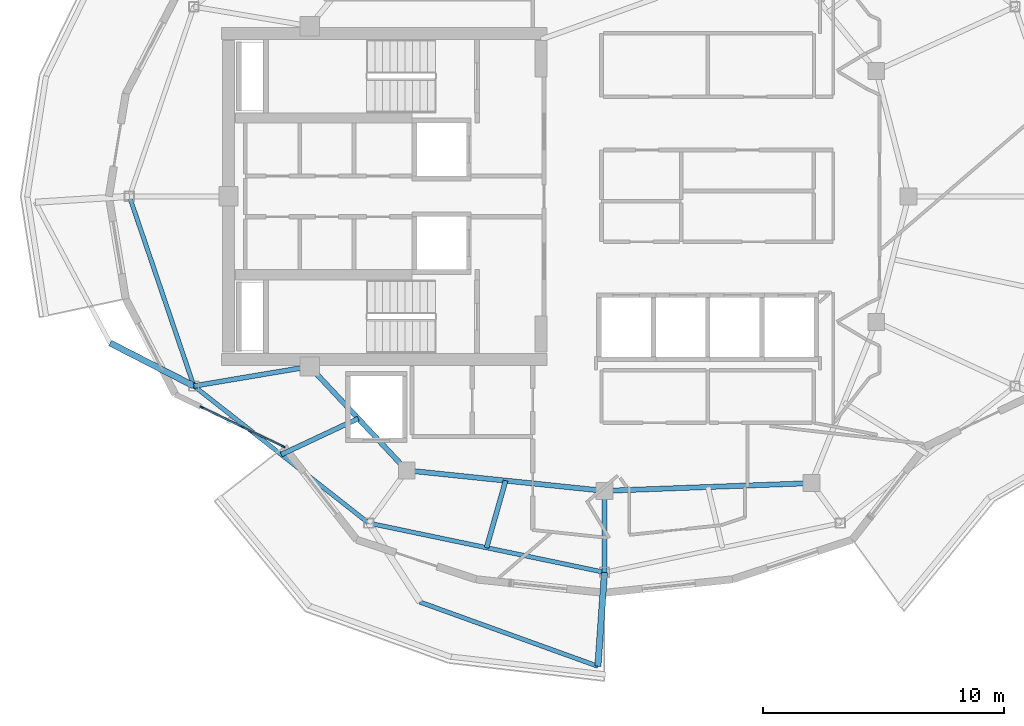
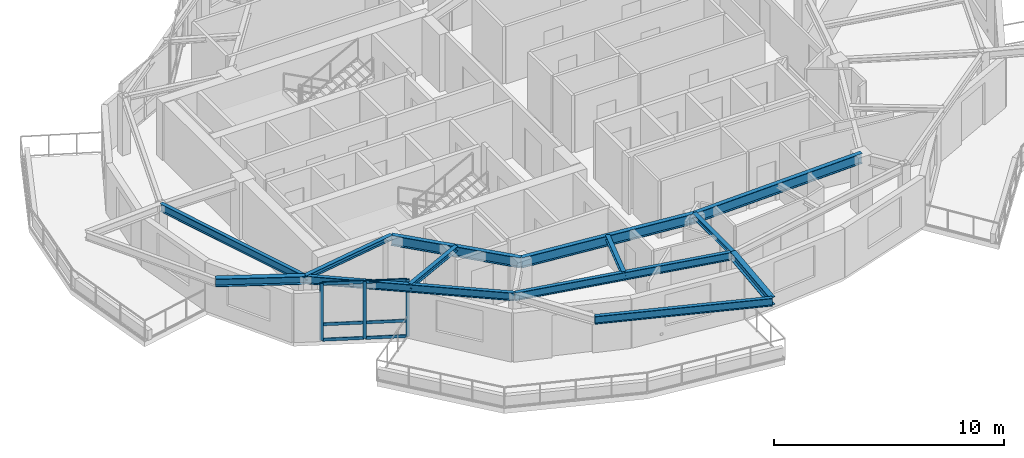
# One storey, part 2 of 14: 13 beams, 9 members, 1 element without a shape of its own.
"""IFC4 building model written with IfcOpenShell, lengths in metres."""

from ifc_helpers import new_model, si_unit, direction, frame, origin, origin_2d, place, context, subcontext, project, spatial, rectangle, i_section, extrude, material, layer, layer_set, material_profile, profile_set, type_object, element, aggregate, save


model = new_model("IFC4")

# Units and contexts
model_context = context("Model", 3, precision=1e-05, world=origin(), true_north=direction((0.0, 1.0)))
body_context = subcontext(model_context, "Body", "Model", "MODEL_VIEW")
ifc_project = project(units=[si_unit("LENGTHUNIT", "METRE"), si_unit("AREAUNIT", "SQUARE_METRE"), si_unit("VOLUMEUNIT", "CUBIC_METRE"), si_unit("PLANEANGLEUNIT", "RADIAN"), si_unit("MASSUNIT", "GRAM", prefix="KILO")], contexts=[model_context])

# Site, building, storey
site_placement = place(None, origin())
site = spatial("IfcSite", under=ifc_project, at=site_placement, CompositionType="ELEMENT")
building_placement = place(site_placement, origin())
building = spatial("IfcBuilding", under=site, at=building_placement, Name="Kolvaren Gate Tower and Convention Centre", CompositionType="ELEMENT")
storey_placement = place(building_placement, frame((0.0, 0.0, 259.10009765625)))
storey = spatial("IfcBuildingStorey", under=building, at=storey_placement, Name="L70", CompositionType="ELEMENT", Elevation=259.10009765625)

# Curtain wall, members
ifc_material_1 = material(Name="Anodized Architectural Aluminium Alloy 6063-T6", Category="aluminium")
ifc_layer = layer(ifc_material_1, 0.159912109375)
ifc_layer_set = layer_set([ifc_layer], Name="Anodized Architectural Aluminium Alloy 6063-T6")
curtain_wall_type = type_object("IfcCurtainWallType", Name="CW-RES-UNIT", PredefinedType="NOTDEFINED", material=ifc_layer_set)
curtain_wall_placement = place(storey_placement, origin())
curtain_wall = element("IfcCurtainWall", 1, at=curtain_wall_placement, inside=storey, type_object=curtain_wall_type, Name="Tower L70 Unitised Curtain Wall CW-RES-UNIT Bay 14", PredefinedType="NOTDEFINED")
ifc_material_profile_1 = material_profile(ifc_material_1, rectangle(XDim=0.06494140625, YDim=0.159912109375, at=origin_2d()), Name="CW-MEM-MUL-160")
ifc_profile_set_1 = profile_set([ifc_material_profile_1], Name="Anodized Architectural Aluminium Alloy 6063-T6")
member_type_1 = type_object("IfcMemberType", Name="CW-MEM-MUL-160", PredefinedType="MULLION", material=ifc_profile_set_1)
member_1_placement = place(storey_placement, frame((13.438232421875, 18.261962890625, 0.0), z_axis=(0.0, 0.0, 1.0), x_axis=(0.433070351816, 0.901360122469, 0.0)))
member_1 = element("IfcMember", 2, at=member_1_placement, type_object=member_type_1, Name="CW-04 mullion 1", PredefinedType="MULLION", context=body_context, shape_type="SweptSolid", body=[
    extrude(rectangle(XDim=0.06494140625, YDim=0.159912109375, at=origin_2d()), origin(), (0.0, 0.0, 1.0), 3.02978515625),
])
member_2_placement = place(storey_placement, frame((15.12744140625, 17.4501953125, 0.0), z_axis=(0.0, 0.0, 1.0), x_axis=(0.433070351816, 0.901360122469, 0.0)))
member_2 = element("IfcMember", 3, at=member_2_placement, type_object=member_type_1, Name="CW-04 mullion 2", PredefinedType="MULLION", context=body_context, shape_type="SweptSolid", body=[
    extrude(rectangle(XDim=0.06494140625, YDim=0.159912109375, at=origin_2d()), origin(), (0.0, 0.0, 1.0), 3.02978515625),
])
member_3_placement = place(storey_placement, frame((16.81689453125, 16.638671875, 0.0), z_axis=(0.0, 0.0, 1.0), x_axis=(0.433070351816, 0.901360122469, 0.0)))
member_3 = element("IfcMember", 4, at=member_3_placement, type_object=member_type_1, Name="CW-04 mullion 3", PredefinedType="MULLION", context=body_context, shape_type="SweptSolid", body=[
    extrude(rectangle(XDim=0.06494140625, YDim=0.159912109375, at=origin_2d()), origin(), (0.0, 0.0, 1.0), 3.02978515625),
])
ifc_material_profile_2 = material_profile(ifc_material_1, rectangle(XDim=0.06494140625, YDim=0.159912109375, at=origin_2d()), Name="CW-MEM-TRN-160")
ifc_profile_set_2 = profile_set([ifc_material_profile_2], Name="Anodized Architectural Aluminium Alloy 6063-T6")
member_type_2 = type_object("IfcMemberType", Name="CW-MEM-TRN-160", PredefinedType="USERDEFINED", material=ifc_profile_set_2)
member_4_placement = place(storey_placement, frame((13.467529296875, 18.247802734375, 0.032470703125), z_axis=(0.901360838228, -0.433068862086, 0.0), x_axis=(0.433068862086, 0.901360838228, 0.0)))
member_4 = element("IfcMember", 5, at=member_4_placement, type_object=member_type_2, Name="CW-04 transom 1.1", ObjectType="TRANSOM", PredefinedType="USERDEFINED", context=body_context, shape_type="SweptSolid", body=[
    extrude(rectangle(XDim=0.06494140625, YDim=0.159912109375, at=origin_2d()), origin(), (0.0, 0.0, 1.0), 1.80908203125),
])
member_5_placement = place(storey_placement, frame((13.467529296875, 18.247802734375, 0.849853515625), z_axis=(0.901360838228, -0.433068862086, 0.0), x_axis=(0.433068862086, 0.901360838228, 0.0)))
member_5 = element("IfcMember", 6, at=member_5_placement, type_object=member_type_2, Name="CW-04 transom 1.2", ObjectType="TRANSOM", PredefinedType="USERDEFINED", context=body_context, shape_type="SweptSolid", body=[
    extrude(rectangle(XDim=0.06494140625, YDim=0.159912109375, at=origin_2d()), origin(), (0.0, 0.0, 1.0), 1.80908203125),
])
member_6_placement = place(storey_placement, frame((13.467529296875, 18.247802734375, 2.997314453125), z_axis=(0.901360838228, -0.433068862086, 0.0), x_axis=(0.433068862086, 0.901360838228, 0.0)))
member_6 = element("IfcMember", 7, at=member_6_placement, type_object=member_type_2, Name="CW-04 transom 1.3", ObjectType="TRANSOM", PredefinedType="USERDEFINED", context=body_context, shape_type="SweptSolid", body=[
    extrude(rectangle(XDim=0.06494140625, YDim=0.159912109375, at=origin_2d()), origin(), (0.0, 0.0, 1.0), 1.80908203125),
])
member_7_placement = place(storey_placement, frame((15.15673828125, 17.436279296875, 0.032470703125), z_axis=(0.901386144136, -0.433016188104, 0.0), x_axis=(0.433016188104, 0.901386144136, 0.0)))
member_7 = element("IfcMember", 8, at=member_7_placement, type_object=member_type_2, Name="CW-04 transom 2.1", ObjectType="TRANSOM", PredefinedType="USERDEFINED", context=body_context, shape_type="SweptSolid", body=[
    extrude(rectangle(XDim=0.06494140625, YDim=0.159912109375, at=origin_2d()), origin(), (0.0, 0.0, 1.0), 1.809326171875),
])
member_8_placement = place(storey_placement, frame((15.15673828125, 17.436279296875, 0.849853515625), z_axis=(0.901386144136, -0.433016188104, 0.0), x_axis=(0.433016188104, 0.901386144136, 0.0)))
member_8 = element("IfcMember", 9, at=member_8_placement, type_object=member_type_2, Name="CW-04 transom 2.2", ObjectType="TRANSOM", PredefinedType="USERDEFINED", context=body_context, shape_type="SweptSolid", body=[
    extrude(rectangle(XDim=0.06494140625, YDim=0.159912109375, at=origin_2d()), origin(), (0.0, 0.0, 1.0), 1.809326171875),
])
member_9_placement = place(storey_placement, frame((15.15673828125, 17.436279296875, 2.997314453125), z_axis=(0.901386144136, -0.433016188104, 0.0), x_axis=(0.433016188104, 0.901386144136, 0.0)))
member_9 = element("IfcMember", 10, at=member_9_placement, type_object=member_type_2, Name="CW-04 transom 2.3", ObjectType="TRANSOM", PredefinedType="USERDEFINED", context=body_context, shape_type="SweptSolid", body=[
    extrude(rectangle(XDim=0.06494140625, YDim=0.159912109375, at=origin_2d()), origin(), (0.0, 0.0, 1.0), 1.809326171875),
])
aggregate(curtain_wall, [member_1, member_2, member_3, member_4, member_5, member_6, member_7, member_8, member_9])

# Beams
ifc_material_2 = material(Name="Structural steel ASTM A992 Grade 345 MPa", Category="steel")
ifc_material_profile_3 = material_profile(ifc_material_2, i_section(OverallWidth=0.260009765625, OverallDepth=0.419921875, WebThickness=0.013427734375, FlangeThickness=0.0224609375, at=origin_2d()), Name="W410X132")
ifc_profile_set_3 = profile_set([ifc_material_profile_3], Name="Structural steel ASTM A992 Grade 345 MPa")
beam_type_1 = type_object("IfcBeamType", Name="STR-BM-W410X132", PredefinedType="BEAM", material=ifc_profile_set_3)
beam_1_placement = place(storey_placement, frame((13.1162109375, 19.143798828125, 2.8203125), z_axis=(-0.889772489372, 0.456404335164, 0.0), x_axis=(-0.456404335164, -0.889772489372, 0.0)))
element("IfcBeam", 11, at=beam_1_placement, inside=storey, type_object=beam_type_1, Name="Tower L71 Planted Balcony Outrigger Cantilever BC-2B", PredefinedType="BEAM", context=body_context, shape_type="SweptSolid", body=[
    extrude(i_section(OverallWidth=0.260009765625, OverallDepth=0.419921875, WebThickness=0.013427734375, FlangeThickness=0.0224609375, at=origin_2d()), origin(), (0.0, 0.0, 1.0), 3.900146484375),
])
beam_2_placement = place(storey_placement, frame((30.125, 11.425048828125, 2.8203125), z_axis=(-0.070050275129, -0.997543462188, 0.0), x_axis=(0.997543462188, -0.070050275129, 0.0)))
element("IfcBeam", 12, at=beam_2_placement, inside=storey, type_object=beam_type_1, Name="Tower L71 Planted Balcony Outrigger Cantilever BC-3B", PredefinedType="BEAM", context=body_context, shape_type="SweptSolid", body=[
    extrude(i_section(OverallWidth=0.260009765625, OverallDepth=0.419921875, WebThickness=0.013427734375, FlangeThickness=0.0224609375, at=origin_2d()), origin(), (0.0, 0.0, 1.0), 3.89990234375),
])
ifc_material_profile_4 = material_profile(ifc_material_2, i_section(OverallWidth=0.2119140625, OverallDepth=0.5439453125, WebThickness=0.01318359375, FlangeThickness=0.021240234375, at=origin_2d()), Name="W530X123")
ifc_profile_set_4 = profile_set([ifc_material_profile_4], Name="Structural steel ASTM A992 Grade 345 MPa")
beam_type_2 = type_object("IfcBeamType", Name="STR-BM-W530X123", PredefinedType="BEAM", material=ifc_profile_set_4)
beam_3_placement = place(storey_placement, frame((17.9140625, 19.949951171875, 2.7578125), z_axis=(0.682557592987, -0.730831808459, 0.0), x_axis=(0.730831808459, 0.682557592987, 0.0)))
element("IfcBeam", 13, at=beam_3_placement, inside=storey, type_object=beam_type_2, Name="Tower L70 Primary Ring Girder G-06", PredefinedType="BEAM", context=body_context, shape_type="SweptSolid", body=[
    extrude(i_section(OverallWidth=0.2119140625, OverallDepth=0.5439453125, WebThickness=0.01318359375, FlangeThickness=0.021240234375, at=origin_2d()), origin(), (0.0, 0.0, 1.0), 5.88671875),
])
beam_4_placement = place(storey_placement, frame((21.93212890625, 15.647705078125, 2.7578125), z_axis=(0.994690329115, -0.102913308978, 0.0), x_axis=(0.102913308978, 0.994690329115, 0.0)))
element("IfcBeam", 14, at=beam_4_placement, inside=storey, type_object=beam_type_2, Name="Tower L70 Primary Ring Girder G-07", PredefinedType="BEAM", context=body_context, shape_type="SweptSolid", body=[
    extrude(i_section(OverallWidth=0.2119140625, OverallDepth=0.5439453125, WebThickness=0.01318359375, FlangeThickness=0.021240234375, at=origin_2d()), origin(), (0.0, 0.0, 1.0), 8.236572265625),
])
beam_5_placement = place(storey_placement, frame((30.125, 14.800048828125, 2.7578125), z_axis=(0.999301712453, 0.037364254142, 0.0), x_axis=(-0.037364254142, 0.999301712453, 0.0)))
element("IfcBeam", 15, at=beam_5_placement, inside=storey, type_object=beam_type_2, Name="Tower L70 Primary Ring Girder G-08", PredefinedType="BEAM", context=body_context, shape_type="SweptSolid", body=[
    extrude(i_section(OverallWidth=0.2119140625, OverallDepth=0.5439453125, WebThickness=0.01318359375, FlangeThickness=0.021240234375, at=origin_2d()), origin(), (0.0, 0.0, 1.0), 8.579345703125),
])
ifc_material_profile_5 = material_profile(ifc_material_2, i_section(OverallWidth=0.202880859375, OverallDepth=0.251953125, WebThickness=0.008056640625, FlangeThickness=0.013427734375, at=origin_2d()), Name="W250X58")
ifc_profile_set_5 = profile_set([ifc_material_profile_5], Name="Structural steel ASTM A992 Grade 345 MPa")
beam_type_3 = type_object("IfcBeamType", Name="STR-JS-W250X58", PredefinedType="JOIST", material=ifc_profile_set_5)
beam_6_placement = place(storey_placement, frame((17.9140625, 19.949951171875, 2.90380859375), z_axis=(-0.986176061403, -0.165700862749, 0.0), x_axis=(0.165700862749, -0.986176061403, 0.0)))
element("IfcBeam", 16, at=beam_6_placement, inside=storey, type_object=beam_type_3, Name="Tower L70 Radial Floor Girder RB-08", PredefinedType="JOIST", context=body_context, shape_type="SweptSolid", body=[
    extrude(i_section(OverallWidth=0.202880859375, OverallDepth=0.251953125, WebThickness=0.008056640625, FlangeThickness=0.013427734375, at=origin_2d()), origin(), (0.0, 0.0, 1.0), 4.864990234375),
])
beam_7_placement = place(storey_placement, frame((30.125, 14.800048828125, 2.90380859375), z_axis=(0.0, -1.0, 0.0), x_axis=(1.0, 0.0, 0.0)))
element("IfcBeam", 17, at=beam_7_placement, inside=storey, type_object=beam_type_3, Name="Tower L70 Radial Floor Girder RB-10", PredefinedType="JOIST", context=body_context, shape_type="SweptSolid", body=[
    extrude(i_section(OverallWidth=0.202880859375, OverallDepth=0.251953125, WebThickness=0.008056640625, FlangeThickness=0.013427734375, at=origin_2d()), origin(), (0.0, 0.0, 1.0), 3.375),
])
beam_8_placement = place(storey_placement, frame((19.923095703125, 17.798828125, 2.90380859375), z_axis=(-0.90535561097, -0.424654233095, 0.0), x_axis=(0.424654233095, -0.90535561097, 0.0)))
element("IfcBeam", 18, at=beam_8_placement, inside=storey, type_object=beam_type_3, Name="Tower L70 Secondary Composite Floor Joist J-08.1", PredefinedType="JOIST", context=body_context, shape_type="SweptSolid", body=[
    extrude(i_section(OverallWidth=0.202880859375, OverallDepth=0.251953125, WebThickness=0.008056640625, FlangeThickness=0.013427734375, at=origin_2d()), origin(), (0.0, 0.0, 1.0), 3.51953125),
])
beam_9_placement = place(storey_placement, frame((26.028564453125, 15.223876953125, 2.90380859375), z_axis=(-0.272666468309, -0.962108620198, 0.0), x_axis=(0.962108620198, -0.272666468309, 0.0)))
element("IfcBeam", 19, at=beam_9_placement, inside=storey, type_object=beam_type_3, Name="Tower L70 Secondary Composite Floor Joist J-09.1", PredefinedType="JOIST", context=body_context, shape_type="SweptSolid", body=[
    extrude(i_section(OverallWidth=0.202880859375, OverallDepth=0.251953125, WebThickness=0.008056640625, FlangeThickness=0.013427734375, at=origin_2d()), origin(), (0.0, 0.0, 1.0), 2.888427734375),
])
ifc_material_profile_6 = material_profile(ifc_material_2, i_section(OverallWidth=0.180908203125, OverallDepth=0.4169921875, WebThickness=0.010986328125, FlangeThickness=0.018310546875, at=origin_2d()), Name="W410X85")
ifc_profile_set_6 = profile_set([ifc_material_profile_6], Name="Structural steel ASTM A992 Grade 345 MPa")
beam_type_4 = type_object("IfcBeamType", Name="STR-SP-W410X85", PredefinedType="SPANDREL", material=ifc_profile_set_6)
beam_10_placement = place(storey_placement, frame((10.44384765625, 27.0, 2.8212890625), z_axis=(0.322038282171, -0.946726647357, 0.0), x_axis=(0.946726647357, 0.322038282171, 0.0)))
element("IfcBeam", 20, at=beam_10_placement, inside=storey, type_object=beam_type_4, Name="Tower L70 Perimeter Spandrel Beam SP-07", PredefinedType="SPANDREL", context=body_context, shape_type="SweptSolid", body=[
    extrude(i_section(OverallWidth=0.180908203125, OverallDepth=0.4169921875, WebThickness=0.010986328125, FlangeThickness=0.018310546875, at=origin_2d()), origin(), (0.0, 0.0, 1.0), 8.29833984375),
])
beam_11_placement = place(storey_placement, frame((13.1162109375, 19.143798828125, 2.8212890625), z_axis=(0.786845586039, -0.61714991998, 0.0), x_axis=(0.61714991998, 0.786845586039, 0.0)))
element("IfcBeam", 21, at=beam_11_placement, inside=storey, type_object=beam_type_4, Name="Tower L70 Perimeter Spandrel Beam SP-08", PredefinedType="SPANDREL", context=body_context, shape_type="SweptSolid", body=[
    extrude(i_section(OverallWidth=0.180908203125, OverallDepth=0.4169921875, WebThickness=0.010986328125, FlangeThickness=0.018310546875, at=origin_2d()), origin(), (0.0, 0.0, 1.0), 9.201904296875),
])
beam_12_placement = place(storey_placement, frame((20.356689453125, 13.46484375, 2.8212890625), z_axis=(0.978885668593, -0.204408531681, 0.0), x_axis=(0.204408531681, 0.978885668593, 0.0)))
element("IfcBeam", 22, at=beam_12_placement, inside=storey, type_object=beam_type_4, Name="Tower L70 Perimeter Spandrel Beam SP-09", PredefinedType="SPANDREL", context=body_context, shape_type="SweptSolid", body=[
    extrude(i_section(OverallWidth=0.180908203125, OverallDepth=0.4169921875, WebThickness=0.010986328125, FlangeThickness=0.018310546875, at=origin_2d()), origin(), (0.0, 0.0, 1.0), 9.97900390625),
])
beam_13_placement = place(storey_placement, frame((22.47998046875, 10.193359375, 2.822021484375), z_axis=(0.940690666396, -0.339265486241, 0.0), x_axis=(0.339265486241, 0.940690666396, 0.0)))
element("IfcBeam", 23, at=beam_13_placement, inside=storey, type_object=beam_type_4, Name="Tower L71 Planted Balcony Header Tie Beam BT-3", PredefinedType="SPANDREL", context=body_context, shape_type="SweptSolid", body=[
    extrude(i_section(OverallWidth=0.180908203125, OverallDepth=0.4169921875, WebThickness=0.010986328125, FlangeThickness=0.018310546875, at=origin_2d()), origin(), (0.0, 0.0, 1.0), 7.836669921875),
])

save(model, "model.ifc")
